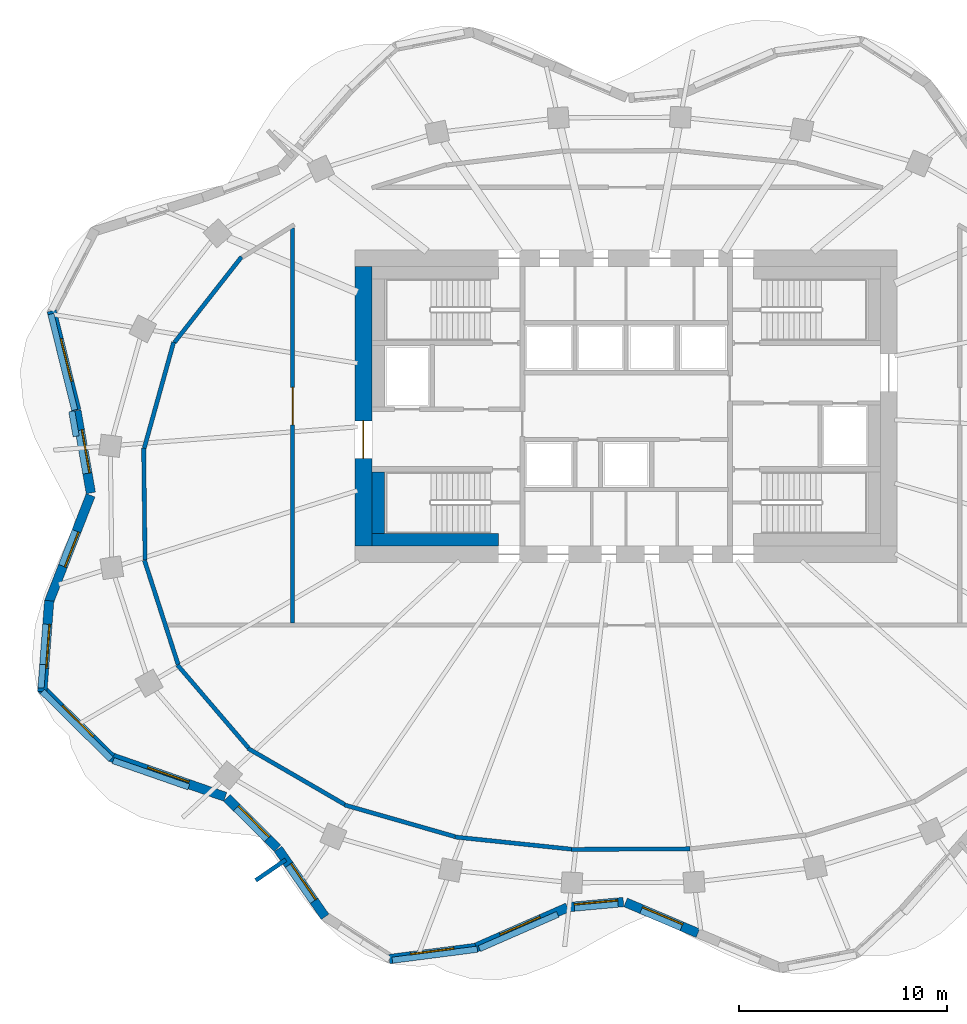
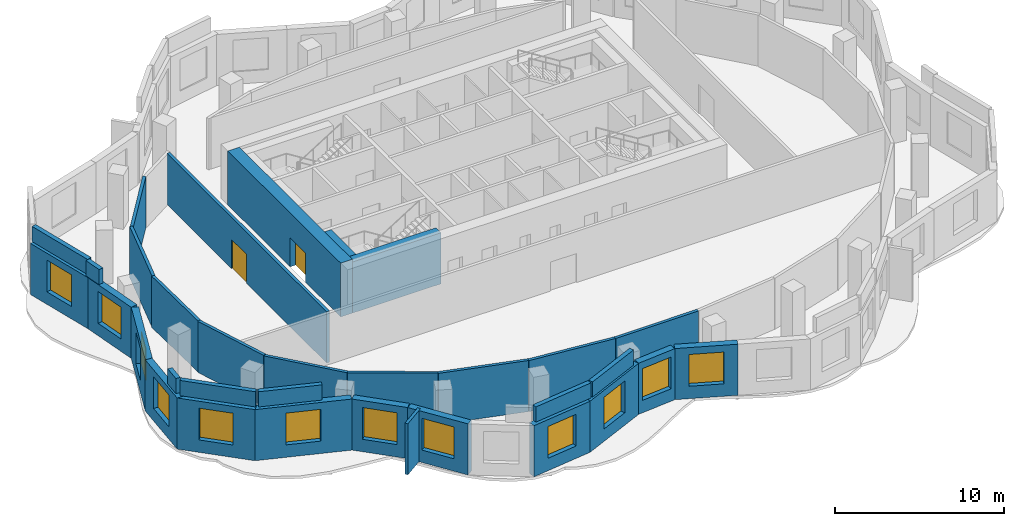
# One storey, part 3 of 8: 33 walls, 12 windows, 2 doors, 14 openings.
"""IFC4 building model written with IfcOpenShell, lengths in metres."""

from ifc_helpers import new_model, si_unit, direction, frame, frame_2d, origin, place, context, subcontext, project, spatial, rectangle, extrude, material, layer, layer_set, type_object, element, fill, save


model = new_model("IFC4")

# Units and contexts
model_context = context("Model", 3, precision=1e-05, world=origin(), true_north=direction((0.0, 1.0)))
body_context = subcontext(model_context, "Body", "Model", "MODEL_VIEW")
ifc_project = project(units=[si_unit("LENGTHUNIT", "METRE"), si_unit("AREAUNIT", "SQUARE_METRE"), si_unit("VOLUMEUNIT", "CUBIC_METRE"), si_unit("PLANEANGLEUNIT", "RADIAN"), si_unit("MASSUNIT", "GRAM", prefix="KILO")], contexts=[model_context])

# Site, building, storey
site_placement = place(None, origin())
site = spatial("IfcSite", under=ifc_project, at=site_placement, CompositionType="ELEMENT")
building_placement = place(site_placement, origin())
building = spatial("IfcBuilding", under=site, at=building_placement, Name="Rubra Terraces Tower", CompositionType="ELEMENT")
storey_placement = place(building_placement, frame((0.0, 0.0, 240.89990234375)))
storey = spatial("IfcBuildingStorey", under=building, at=storey_placement, Name="L59", CompositionType="ELEMENT", Elevation=240.89990234375)

# Wall, opening, window
ifc_material_1 = material(Name="Brick masonry red-brown", Category="masonry")
ifc_layer_1 = layer(ifc_material_1, 0.449951171875)
ifc_layer_set_1 = layer_set([ifc_layer_1], Name="Brick masonry red-brown")
wall_type_1 = type_object("IfcWallType", Name="Brick facade wall 450", PredefinedType="SOLIDWALL", material=ifc_layer_set_1)
wall_1_placement = place(storey_placement, frame((-27.552001953125, 9.07177734375, 0.0), z_axis=(0.0, 0.0, 1.0), x_axis=(0.240629941406, -0.970616933347, 0.0)))
wall_1 = element("IfcWall", 1, at=wall_1_placement, inside=storey, type_object=wall_type_1, Name="Facade wall L59 bay 19", PredefinedType="SOLIDWALL", context=body_context, shape_type="SweptSolid", body=[
    extrude(rectangle(XDim=4.91455078125, YDim=0.449951171875, at=frame_2d((2.457275390625, 0.0))), origin(), (0.0, 0.0, 1.0), 3.7001953125),
])
opening_1_placement = place(wall_1_placement, frame((1.407470703125, 0.0, 0.89990234375)))
opening_1 = element("IfcOpeningElement", 2, at=opening_1_placement, cuts=wall_1, Name="Opening W1B", PredefinedType="OPENING", context=body_context, shape_type="SweptSolid", body=[
    extrude(rectangle(XDim=2.10009765625, YDim=2.300048828125, at=frame_2d((1.050048828125, 1.14990234375))), frame((0.0, 0.23486328125, 0.0), z_axis=(0.0, -1.0, 0.0), x_axis=(1.0, 0.0, 0.0)), (0.0, 0.0, 1.0), 0.469970703125),
])
ifc_material_2 = material(Name="Clear glass in aluminium frame", Category="aluminium")
window_type_1 = type_object("IfcWindowType", Name="Fixed deep-set window tall storey 2100 x 2300", PartitioningType="SINGLE_PANEL", PredefinedType="WINDOW", material=ifc_material_2)
window_1_placement = place(opening_1_placement, origin())
window_1 = element("IfcWindow", 3, at=window_1_placement, inside=storey, type_object=window_type_1, Name="Window L59 bay 19", OverallHeight=2.300048828125, OverallWidth=2.10009765625, PartitioningType="SINGLE_PANEL", PredefinedType="WINDOW", context=body_context, shape_type="SweptSolid", body=[
    extrude(rectangle(XDim=2.10009765625, YDim=2.300048828125, at=frame_2d((1.050048828125, 1.14990234375))), frame((0.0, 0.135009765625, 0.0), z_axis=(0.0, -1.0, 0.0), x_axis=(1.0, 0.0, 0.0)), (0.0, 0.0, 1.0), 0.06005859375),
])
fill(opening_1, window_1)

wall_2_placement = place(storey_placement, frame((-26.3662109375, 4.28466796875, 0.0), z_axis=(0.0, 0.0, 1.0), x_axis=(0.172902168926, -0.984939003178, 0.0)))
wall_2 = element("IfcWall", 4, at=wall_2_placement, inside=storey, type_object=wall_type_1, Name="Facade wall L59 bay 20", PredefinedType="SOLIDWALL", context=body_context, shape_type="SweptSolid", body=[
    extrude(rectangle(XDim=4.005859375, YDim=0.449951171875, at=frame_2d((2.0029296875, 0.0))), origin(), (0.0, 0.0, 1.0), 3.7001953125),
])
opening_2_placement = place(wall_2_placement, frame((0.952880859375, 0.0, 0.89990234375)))
opening_2 = element("IfcOpeningElement", 5, at=opening_2_placement, cuts=wall_2, Name="Opening W1B", PredefinedType="OPENING", context=body_context, shape_type="SweptSolid", body=[
    extrude(rectangle(XDim=2.10009765625, YDim=2.300048828125, at=frame_2d((1.050048828125, 1.14990234375))), frame((0.0, 0.23486328125, 0.0), z_axis=(0.0, -1.0, 0.0), x_axis=(1.0, 0.0, 0.0)), (0.0, 0.0, 1.0), 0.469970703125),
])
window_2_placement = place(opening_2_placement, origin())
window_2 = element("IfcWindow", 6, at=window_2_placement, inside=storey, type_object=window_type_1, Name="Window L59 bay 20", OverallHeight=2.300048828125, OverallWidth=2.10009765625, PartitioningType="SINGLE_PANEL", PredefinedType="WINDOW", context=body_context, shape_type="SweptSolid", body=[
    extrude(rectangle(XDim=2.10009765625, YDim=2.300048828125, at=frame_2d((1.050048828125, 1.14990234375))), frame((0.0, 0.135009765625, 0.0), z_axis=(0.0, -1.0, 0.0), x_axis=(1.0, 0.0, 0.0)), (0.0, 0.0, 1.0), 0.06005859375),
])
fill(opening_2, window_2)

wall_3_placement = place(storey_placement, frame((-25.68701171875, 0.226318359375, 0.0), z_axis=(0.0, 0.0, 1.0), x_axis=(-0.363500194409, -0.931594122279, 0.0)))
wall_3 = element("IfcWall", 7, at=wall_3_placement, inside=storey, type_object=wall_type_1, Name="Facade wall L59 bay 21", PredefinedType="SOLIDWALL", context=body_context, shape_type="SweptSolid", body=[
    extrude(rectangle(XDim=5.498779296875, YDim=0.449951171875, at=frame_2d((2.74951171875, 0.0))), origin(), (0.0, 0.0, 1.0), 3.7001953125),
])
opening_3_placement = place(wall_3_placement, frame((1.849365234375, 0.0, 0.89990234375)))
opening_3 = element("IfcOpeningElement", 8, at=opening_3_placement, cuts=wall_3, Name="Opening W6B", PredefinedType="OPENING", context=body_context, shape_type="SweptSolid", body=[
    extrude(rectangle(XDim=1.800048828125, YDim=2.300048828125, at=frame_2d((0.89990234375, 1.14990234375))), frame((0.0, 0.23486328125, 0.0), z_axis=(0.0, -1.0, 0.0), x_axis=(1.0, 0.0, 0.0)), (0.0, 0.0, 1.0), 0.469970703125),
])
window_type_2 = type_object("IfcWindowType", Name="Fixed deep-set window at wind fin tall storey 1800 x 2300", PartitioningType="SINGLE_PANEL", PredefinedType="WINDOW", material=ifc_material_2)
window_3_placement = place(opening_3_placement, origin())
window_3 = element("IfcWindow", 9, at=window_3_placement, inside=storey, type_object=window_type_2, Name="Window L59 bay 21", OverallHeight=2.300048828125, OverallWidth=1.800048828125, PartitioningType="SINGLE_PANEL", PredefinedType="WINDOW", context=body_context, shape_type="SweptSolid", body=[
    extrude(rectangle(XDim=1.800048828125, YDim=2.300048828125, at=frame_2d((0.89990234375, 1.14990234375))), frame((0.0, 0.135009765625, 0.0), z_axis=(0.0, -1.0, 0.0), x_axis=(1.0, 0.0, 0.0)), (0.0, 0.0, 1.0), 0.06005859375),
])
fill(opening_3, window_3)

wall_4_placement = place(storey_placement, frame((-27.671142578125, -4.831298828125, 0.0), z_axis=(0.0, 0.0, 1.0), x_axis=(-0.075658122047, -0.997133816781, 0.0)))
wall_4 = element("IfcWall", 10, at=wall_4_placement, inside=storey, type_object=wall_type_1, Name="Facade wall L59 bay 22", PredefinedType="SOLIDWALL", context=body_context, shape_type="SweptSolid", body=[
    extrude(rectangle(XDim=4.369140625, YDim=0.449951171875, at=frame_2d((2.1845703125, 0.0))), origin(), (0.0, 0.0, 1.0), 3.7001953125),
])
opening_4_placement = place(wall_4_placement, frame((1.134521484375, 0.0, 0.89990234375)))
opening_4 = element("IfcOpeningElement", 11, at=opening_4_placement, cuts=wall_4, Name="Opening W1B", PredefinedType="OPENING", context=body_context, shape_type="SweptSolid", body=[
    extrude(rectangle(XDim=2.10009765625, YDim=2.300048828125, at=frame_2d((1.050048828125, 1.14990234375))), frame((0.0, 0.23486328125, 0.0), z_axis=(0.0, -1.0, 0.0), x_axis=(1.0, 0.0, 0.0)), (0.0, 0.0, 1.0), 0.469970703125),
])
window_4_placement = place(opening_4_placement, origin())
window_4 = element("IfcWindow", 12, at=window_4_placement, inside=storey, type_object=window_type_1, Name="Window L59 bay 22", OverallHeight=2.300048828125, OverallWidth=2.10009765625, PartitioningType="SINGLE_PANEL", PredefinedType="WINDOW", context=body_context, shape_type="SweptSolid", body=[
    extrude(rectangle(XDim=2.10009765625, YDim=2.300048828125, at=frame_2d((1.050048828125, 1.14990234375))), frame((0.0, 0.135009765625, 0.0), z_axis=(0.0, -1.0, 0.0), x_axis=(1.0, 0.0, 0.0)), (0.0, 0.0, 1.0), 0.06005859375),
])
fill(opening_4, window_4)

wall_5_placement = place(storey_placement, frame((-28.06787109375, -9.010986328125, 0.0), z_axis=(0.0, 0.0, 1.0), x_axis=(0.711293453435, -0.702895172199, 0.0)))
wall_5 = element("IfcWall", 13, at=wall_5_placement, inside=storey, type_object=wall_type_1, Name="Facade wall L59 bay 23", PredefinedType="SOLIDWALL", context=body_context, shape_type="SweptSolid", body=[
    extrude(rectangle(XDim=4.767578125, YDim=0.449951171875, at=frame_2d((2.3837890625, 0.0))), origin(), (0.0, 0.0, 1.0), 3.7001953125),
])
opening_5_placement = place(wall_5_placement, frame((1.333740234375, 0.0, 0.89990234375)))
opening_5 = element("IfcOpeningElement", 14, at=opening_5_placement, cuts=wall_5, Name="Opening W1B", PredefinedType="OPENING", context=body_context, shape_type="SweptSolid", body=[
    extrude(rectangle(XDim=2.10009765625, YDim=2.300048828125, at=frame_2d((1.050048828125, 1.14990234375))), frame((0.0, 0.23486328125, 0.0), z_axis=(0.0, -1.0, 0.0), x_axis=(1.0, 0.0, 0.0)), (0.0, 0.0, 1.0), 0.469970703125),
])
window_5_placement = place(opening_5_placement, origin())
window_5 = element("IfcWindow", 15, at=window_5_placement, inside=storey, type_object=window_type_1, Name="Window L59 bay 23", OverallHeight=2.300048828125, OverallWidth=2.10009765625, PartitioningType="SINGLE_PANEL", PredefinedType="WINDOW", context=body_context, shape_type="SweptSolid", body=[
    extrude(rectangle(XDim=2.10009765625, YDim=2.300048828125, at=frame_2d((1.050048828125, 1.14990234375))), frame((0.0, 0.135009765625, 0.0), z_axis=(0.0, -1.0, 0.0), x_axis=(1.0, 0.0, 0.0)), (0.0, 0.0, 1.0), 0.06005859375),
])
fill(opening_5, window_5)

wall_6_placement = place(storey_placement, frame((-24.760986328125, -12.309814453125, 0.0), z_axis=(0.0, 0.0, 1.0), x_axis=(0.944397305248, -0.328806523414, 0.0)))
wall_6 = element("IfcWall", 16, at=wall_6_placement, inside=storey, type_object=wall_type_1, Name="Facade wall L59 bay 24", PredefinedType="SOLIDWALL", context=body_context, shape_type="SweptSolid", body=[
    extrude(rectangle(XDim=5.862060546875, YDim=0.449951171875, at=frame_2d((2.93115234375, 0.0))), origin(), (0.0, 0.0, 1.0), 3.7001953125),
])
opening_6_placement = place(wall_6_placement, frame((1.881103515625, 0.0, 0.89990234375)))
opening_6 = element("IfcOpeningElement", 17, at=opening_6_placement, cuts=wall_6, Name="Opening W1B", PredefinedType="OPENING", context=body_context, shape_type="SweptSolid", body=[
    extrude(rectangle(XDim=2.10009765625, YDim=2.300048828125, at=frame_2d((1.050048828125, 1.14990234375))), frame((0.0, 0.23486328125, 0.0), z_axis=(0.0, -1.0, 0.0), x_axis=(1.0, 0.0, 0.0)), (0.0, 0.0, 1.0), 0.469970703125),
])
window_6_placement = place(opening_6_placement, origin())
window_6 = element("IfcWindow", 18, at=window_6_placement, inside=storey, type_object=window_type_1, Name="Window L59 bay 24", OverallHeight=2.300048828125, OverallWidth=2.10009765625, PartitioningType="SINGLE_PANEL", PredefinedType="WINDOW", context=body_context, shape_type="SweptSolid", body=[
    extrude(rectangle(XDim=2.10009765625, YDim=2.300048828125, at=frame_2d((1.050048828125, 1.14990234375))), frame((0.0, 0.135009765625, 0.0), z_axis=(0.0, -1.0, 0.0), x_axis=(1.0, 0.0, 0.0)), (0.0, 0.0, 1.0), 0.06005859375),
])
fill(opening_6, window_6)

wall_7_placement = place(storey_placement, frame((-19.145263671875, -14.285400390625, 0.0), z_axis=(0.0, 0.0, 1.0), x_axis=(0.707427521052, -0.706785895769, 0.0)))
wall_7 = element("IfcWall", 19, at=wall_7_placement, inside=storey, type_object=wall_type_1, Name="Facade wall L59 bay 25", PredefinedType="SOLIDWALL", context=body_context, shape_type="SweptSolid", body=[
    extrude(rectangle(XDim=3.424560546875, YDim=0.449951171875, at=frame_2d((1.71240234375, 0.0))), origin(), (0.0, 0.0, 1.0), 3.7001953125),
])
opening_7_placement = place(wall_7_placement, frame((0.662353515625, 0.0, 0.89990234375)))
opening_7 = element("IfcOpeningElement", 20, at=opening_7_placement, cuts=wall_7, Name="Opening W1B", PredefinedType="OPENING", context=body_context, shape_type="SweptSolid", body=[
    extrude(rectangle(XDim=2.10009765625, YDim=2.300048828125, at=frame_2d((1.050048828125, 1.14990234375))), frame((0.0, 0.23486328125, 0.0), z_axis=(0.0, -1.0, 0.0), x_axis=(1.0, 0.0, 0.0)), (0.0, 0.0, 1.0), 0.469970703125),
])
window_7_placement = place(opening_7_placement, origin())
window_7 = element("IfcWindow", 21, at=window_7_placement, inside=storey, type_object=window_type_1, Name="Window L59 bay 25", OverallHeight=2.300048828125, OverallWidth=2.10009765625, PartitioningType="SINGLE_PANEL", PredefinedType="WINDOW", context=body_context, shape_type="SweptSolid", body=[
    extrude(rectangle(XDim=2.10009765625, YDim=2.300048828125, at=frame_2d((1.050048828125, 1.14990234375))), frame((0.0, 0.135009765625, 0.0), z_axis=(0.0, -1.0, 0.0), x_axis=(1.0, 0.0, 0.0)), (0.0, 0.0, 1.0), 0.06005859375),
])
fill(opening_7, window_7)

wall_8_placement = place(storey_placement, frame((-16.695068359375, -16.73681640625, 0.0), z_axis=(0.0, 0.0, 1.0), x_axis=(0.569652445465, -0.821885692402, 0.0)))
wall_8 = element("IfcWall", 22, at=wall_8_placement, inside=storey, type_object=wall_type_1, Name="Facade wall L59 bay 26", PredefinedType="SOLIDWALL", context=body_context, shape_type="SweptSolid", body=[
    extrude(rectangle(XDim=3.958740234375, YDim=0.449951171875, at=frame_2d((1.9794921875, 0.0))), origin(), (0.0, 0.0, 1.0), 3.7001953125),
])
opening_8_placement = place(wall_8_placement, frame((0.929443359375, 0.0, 0.89990234375)))
opening_8 = element("IfcOpeningElement", 23, at=opening_8_placement, cuts=wall_8, Name="Opening W1B", PredefinedType="OPENING", context=body_context, shape_type="SweptSolid", body=[
    extrude(rectangle(XDim=2.10009765625, YDim=2.300048828125, at=frame_2d((1.050048828125, 1.14990234375))), frame((0.0, 0.23486328125, 0.0), z_axis=(0.0, -1.0, 0.0), x_axis=(1.0, 0.0, 0.0)), (0.0, 0.0, 1.0), 0.469970703125),
])
window_8_placement = place(opening_8_placement, origin())
window_8 = element("IfcWindow", 24, at=window_8_placement, inside=storey, type_object=window_type_1, Name="Window L59 bay 26", OverallHeight=2.300048828125, OverallWidth=2.10009765625, PartitioningType="SINGLE_PANEL", PredefinedType="WINDOW", context=body_context, shape_type="SweptSolid", body=[
    extrude(rectangle(XDim=2.10009765625, YDim=2.300048828125, at=frame_2d((1.050048828125, 1.14990234375))), frame((0.0, 0.135009765625, 0.0), z_axis=(0.0, -1.0, 0.0), x_axis=(1.0, 0.0, 0.0)), (0.0, 0.0, 1.0), 0.06005859375),
])
fill(opening_8, window_8)

wall_9_placement = place(storey_placement, frame((-11.36181640625, -22.017822265625, 0.0), z_axis=(0.0, 0.0, 1.0), x_axis=(0.991724958022, 0.128380713645, 0.0)))
wall_9 = element("IfcWall", 25, at=wall_9_placement, inside=storey, type_object=wall_type_1, Name="Facade wall L59 bay 28", PredefinedType="SOLIDWALL", context=body_context, shape_type="SweptSolid", body=[
    extrude(rectangle(XDim=4.181884765625, YDim=0.449951171875, at=frame_2d((2.0908203125, 0.0))), origin(), (0.0, 0.0, 1.0), 3.7001953125),
])
opening_9_placement = place(wall_9_placement, frame((1.041015625, 0.0, 0.89990234375)))
opening_9 = element("IfcOpeningElement", 26, at=opening_9_placement, cuts=wall_9, Name="Opening W1B", PredefinedType="OPENING", context=body_context, shape_type="SweptSolid", body=[
    extrude(rectangle(XDim=2.10009765625, YDim=2.300048828125, at=frame_2d((1.050048828125, 1.14990234375))), frame((0.0, 0.23486328125, 0.0), z_axis=(0.0, -1.0, 0.0), x_axis=(1.0, 0.0, 0.0)), (0.0, 0.0, 1.0), 0.469970703125),
])
window_9_placement = place(opening_9_placement, origin())
window_9 = element("IfcWindow", 27, at=window_9_placement, inside=storey, type_object=window_type_1, Name="Window L59 bay 28", OverallHeight=2.300048828125, OverallWidth=2.10009765625, PartitioningType="SINGLE_PANEL", PredefinedType="WINDOW", context=body_context, shape_type="SweptSolid", body=[
    extrude(rectangle(XDim=2.10009765625, YDim=2.300048828125, at=frame_2d((1.050048828125, 1.14990234375))), frame((0.0, 0.135009765625, 0.0), z_axis=(0.0, -1.0, 0.0), x_axis=(1.0, 0.0, 0.0)), (0.0, 0.0, 1.0), 0.06005859375),
])
fill(opening_9, window_9)

wall_10_placement = place(storey_placement, frame((-7.27587890625, -21.498046875, 0.0), z_axis=(0.0, 0.0, 1.0), x_axis=(0.915872941312, 0.401468249519, 0.0)))
wall_10 = element("IfcWall", 28, at=wall_10_placement, inside=storey, type_object=wall_type_1, Name="Facade wall L59 bay 29", PredefinedType="SOLIDWALL", context=body_context, shape_type="SweptSolid", body=[
    extrude(rectangle(XDim=4.870361328125, YDim=0.449951171875, at=frame_2d((2.43505859375, 0.0))), origin(), (0.0, 0.0, 1.0), 3.7001953125),
])
opening_10_placement = place(wall_10_placement, frame((1.38525390625, 0.0, 0.89990234375)))
opening_10 = element("IfcOpeningElement", 29, at=opening_10_placement, cuts=wall_10, Name="Opening W1B", PredefinedType="OPENING", context=body_context, shape_type="SweptSolid", body=[
    extrude(rectangle(XDim=2.10009765625, YDim=2.300048828125, at=frame_2d((1.050048828125, 1.14990234375))), frame((0.0, 0.23486328125, 0.0), z_axis=(0.0, -1.0, 0.0), x_axis=(1.0, 0.0, 0.0)), (0.0, 0.0, 1.0), 0.469970703125),
])
window_10_placement = place(opening_10_placement, origin())
window_10 = element("IfcWindow", 30, at=window_10_placement, inside=storey, type_object=window_type_1, Name="Window L59 bay 29", OverallHeight=2.300048828125, OverallWidth=2.10009765625, PartitioningType="SINGLE_PANEL", PredefinedType="WINDOW", context=body_context, shape_type="SweptSolid", body=[
    extrude(rectangle(XDim=2.10009765625, YDim=2.300048828125, at=frame_2d((1.050048828125, 1.14990234375))), frame((0.0, 0.135009765625, 0.0), z_axis=(0.0, -1.0, 0.0), x_axis=(1.0, 0.0, 0.0)), (0.0, 0.0, 1.0), 0.06005859375),
])
fill(opening_10, window_10)

wall_11_placement = place(storey_placement, frame((-2.745361328125, -19.52490234375, 0.0), z_axis=(0.0, 0.0, 1.0), x_axis=(0.995768774275, 0.091894222771, 0.0)))
wall_11 = element("IfcWall", 31, at=wall_11_placement, inside=storey, type_object=wall_type_1, Name="Facade wall L59 bay 30", PredefinedType="SOLIDWALL", context=body_context, shape_type="SweptSolid", body=[
    extrude(rectangle(XDim=2.624755859375, YDim=0.449951171875, at=frame_2d((1.3125, 0.0))), origin(), (0.0, 0.0, 1.0), 3.7001953125),
])
opening_11_placement = place(wall_11_placement, frame((0.262451171875, 0.0, 0.89990234375)))
opening_11 = element("IfcOpeningElement", 32, at=opening_11_placement, cuts=wall_11, Name="Opening W1B", PredefinedType="OPENING", context=body_context, shape_type="SweptSolid", body=[
    extrude(rectangle(XDim=2.10009765625, YDim=2.300048828125, at=frame_2d((1.050048828125, 1.14990234375))), frame((0.0, 0.23486328125, 0.0), z_axis=(0.0, -1.0, 0.0), x_axis=(1.0, 0.0, 0.0)), (0.0, 0.0, 1.0), 0.469970703125),
])
window_11_placement = place(opening_11_placement, origin())
window_11 = element("IfcWindow", 33, at=window_11_placement, inside=storey, type_object=window_type_1, Name="Window L59 bay 30", OverallHeight=2.300048828125, OverallWidth=2.10009765625, PartitioningType="SINGLE_PANEL", PredefinedType="WINDOW", context=body_context, shape_type="SweptSolid", body=[
    extrude(rectangle(XDim=2.10009765625, YDim=2.300048828125, at=frame_2d((1.050048828125, 1.14990234375))), frame((0.0, 0.135009765625, 0.0), z_axis=(0.0, -1.0, 0.0), x_axis=(1.0, 0.0, 0.0)), (0.0, 0.0, 1.0), 0.06005859375),
])
fill(opening_11, window_11)

wall_12_placement = place(storey_placement, frame((-0.0263671875, -19.29931640625, 0.0), z_axis=(0.0, 0.0, 1.0), x_axis=(0.920040408927, -0.391823488245, 0.0)))
wall_12 = element("IfcWall", 34, at=wall_12_placement, inside=storey, type_object=wall_type_1, Name="Facade wall L59 bay 31", PredefinedType="SOLIDWALL", context=body_context, shape_type="SweptSolid", body=[
    extrude(rectangle(XDim=3.769775390625, YDim=0.449951171875, at=frame_2d((1.884765625, 0.0))), origin(), (0.0, 0.0, 1.0), 3.7001953125),
])
opening_12_placement = place(wall_12_placement, frame((0.8349609375, 0.0, 0.89990234375)))
opening_12 = element("IfcOpeningElement", 35, at=opening_12_placement, cuts=wall_12, Name="Opening W1B", PredefinedType="OPENING", context=body_context, shape_type="SweptSolid", body=[
    extrude(rectangle(XDim=2.10009765625, YDim=2.300048828125, at=frame_2d((1.050048828125, 1.14990234375))), frame((0.0, 0.23486328125, 0.0), z_axis=(0.0, -1.0, 0.0), x_axis=(1.0, 0.0, 0.0)), (0.0, 0.0, 1.0), 0.469970703125),
])
window_12_placement = place(opening_12_placement, origin())
window_12 = element("IfcWindow", 36, at=window_12_placement, inside=storey, type_object=window_type_1, Name="Window L59 bay 31", OverallHeight=2.300048828125, OverallWidth=2.10009765625, PartitioningType="SINGLE_PANEL", PredefinedType="WINDOW", context=body_context, shape_type="SweptSolid", body=[
    extrude(rectangle(XDim=2.10009765625, YDim=2.300048828125, at=frame_2d((1.050048828125, 1.14990234375))), frame((0.0, 0.135009765625, 0.0), z_axis=(0.0, -1.0, 0.0), x_axis=(1.0, 0.0, 0.0)), (0.0, 0.0, 1.0), 0.06005859375),
])
fill(opening_12, window_12)

# Walls
ifc_layer_2 = layer(ifc_material_1, 0.300048828125)
ifc_layer_set_2 = layer_set([ifc_layer_2], Name="Brick masonry red-brown")
wall_type_2 = type_object("IfcWallType", Name="Brick parapet 300", PredefinedType="PARAPET", material=ifc_layer_set_2)
wall_13_placement = place(storey_placement, frame((-27.591796875, 8.9208984375, 3.900146484375), z_axis=(0.0, 0.0, 1.0), x_axis=(0.240669381496, -0.970607154729, 0.0)))
element("IfcWall", 37, at=wall_13_placement, inside=storey, type_object=wall_type_2, Name="Parapet L59 bay 19", PredefinedType="PARAPET", context=body_context, shape_type="SweptSolid", body=[
    extrude(rectangle(XDim=4.741455078125, YDim=0.300048828125, at=frame_2d((2.37060546875, 0.0))), origin(), (0.0, 0.0, 1.0), 1.099853515625),
])
wall_14_placement = place(storey_placement, frame((-26.589111328125, 4.253662109375, 3.900146484375), z_axis=(0.0, 0.0, 1.0), x_axis=(0.172857566704, -0.984946831881, 0.0)))
element("IfcWall", 38, at=wall_14_placement, inside=storey, type_object=wall_type_2, Name="Parapet L59 bay 20", PredefinedType="PARAPET", context=body_context, shape_type="SweptSolid", body=[
    extrude(rectangle(XDim=1.216064453125, YDim=0.300048828125, at=frame_2d((0.60791015625, 0.0))), origin(), (0.0, 0.0, 1.0), 1.099853515625),
])
wall_15_placement = place(storey_placement, frame((-27.978515625, -7.892333984375, 3.900146484375), z_axis=(0.0, 0.0, 1.0), x_axis=(-0.075750382553, -0.997126812167, 0.0)))
element("IfcWall", 39, at=wall_15_placement, inside=storey, type_object=wall_type_2, Name="Parapet L59 bay 22", PredefinedType="PARAPET", context=body_context, shape_type="SweptSolid", body=[
    extrude(rectangle(XDim=1.124755859375, YDim=0.300048828125, at=frame_2d((0.5625, 0.0))), origin(), (0.0, 0.0, 1.0), 1.099853515625),
])
wall_16_placement = place(storey_placement, frame((-28.00048828125, -9.18310546875, 3.900146484375), z_axis=(0.0, 0.0, 1.0), x_axis=(0.711291435321, -0.702897214419, 0.0)))
element("IfcWall", 40, at=wall_16_placement, inside=storey, type_object=wall_type_2, Name="Parapet L59 bay 23", PredefinedType="PARAPET", context=body_context, shape_type="SweptSolid", body=[
    extrude(rectangle(XDim=4.62451171875, YDim=0.300048828125, at=frame_2d((2.312255859375, 0.0))), origin(), (0.0, 0.0, 1.0), 1.099853515625),
])
wall_17_placement = place(storey_placement, frame((-24.605224609375, -12.49951171875, 3.900146484375), z_axis=(0.0, 0.0, 1.0), x_axis=(0.944373295981, -0.328875474668, 0.0)))
element("IfcWall", 41, at=wall_17_placement, inside=storey, type_object=wall_type_2, Name="Parapet L59 bay 24", PredefinedType="PARAPET", context=body_context, shape_type="SweptSolid", body=[
    extrude(rectangle(XDim=3.84228515625, YDim=0.300048828125, at=frame_2d((1.921142578125, 0.0))), origin(), (0.0, 0.0, 1.0), 1.099853515625),
])
wall_18_placement = place(storey_placement, frame((-11.2138671875, -22.07421875, 3.900146484375), z_axis=(0.0, 0.0, 1.0), x_axis=(0.991727449614, 0.128361464939, 0.0)))
element("IfcWall", 42, at=wall_18_placement, inside=storey, type_object=wall_type_2, Name="Parapet L59 bay 28", PredefinedType="PARAPET", context=body_context, shape_type="SweptSolid", body=[
    extrude(rectangle(XDim=4.110107421875, YDim=0.300048828125, at=frame_2d((2.05517578125, 0.0))), origin(), (0.0, 0.0, 1.0), 1.099853515625),
])
wall_19_placement = place(storey_placement, frame((-7.039306640625, -21.519287109375, 3.900146484375), z_axis=(0.0, 0.0, 1.0), x_axis=(0.915890739732, 0.401427643384, 0.0)))
element("IfcWall", 43, at=wall_19_placement, inside=storey, type_object=wall_type_2, Name="Parapet L59 bay 29", PredefinedType="PARAPET", context=body_context, shape_type="SweptSolid", body=[
    extrude(rectangle(XDim=4.1015625, YDim=0.300048828125, at=frame_2d((2.05078125, 0.0))), origin(), (0.0, 0.0, 1.0), 1.099853515625),
])
ifc_layer_3 = layer(ifc_material_1, 0.199951171875)
ifc_layer_set_3 = layer_set([ifc_layer_3], Name="Brick masonry red-brown")
wall_type_3 = type_object("IfcWallType", Name="Brick wind fin 200", PredefinedType="SOLIDWALL", material=ifc_layer_set_3)
wall_20_placement = place(storey_placement, frame((-16.322021484375, -17.2529296875, 0.0), z_axis=(0.0, 0.0, 1.0), x_axis=(-0.824440606412, -0.565948483962, 0.0)))
element("IfcWall", 44, at=wall_20_placement, inside=storey, type_object=wall_type_3, Name="Wind fin L59 16", PredefinedType="SOLIDWALL", context=body_context, shape_type="SweptSolid", body=[
    extrude(rectangle(XDim=1.75, YDim=0.199951171875, at=frame_2d((0.875, 0.0))), origin(), (0.0, 0.0, 1.0), 3.7001953125),
])

# Wall, opening, door
ifc_material_3 = material(Name="Concrete C50", Category="concrete")
ifc_layer_4 = layer(ifc_material_3, 0.800048828125)
ifc_layer_set_4 = layer_set([ifc_layer_4], Name="Concrete C50")
wall_type_4 = type_object("IfcWallType", Name="CORE WALL 800 C50", PredefinedType="SHEAR", material=ifc_layer_set_4)
wall_21_placement = place(storey_placement, frame((-12.60009765625, -2.199951171875, 0.0), z_axis=(0.0, 0.0, 1.0), x_axis=(0.0, 1.0, 0.0)))
wall_21 = element("IfcWall", 45, at=wall_21_placement, inside=storey, type_object=wall_type_4, Name="CORE WALL W L59", PredefinedType="SHEAR", context=body_context, shape_type="SweptSolid", body=[
    extrude(rectangle(XDim=13.39990234375, YDim=0.800048828125, at=frame_2d((6.699951171875, 0.0))), origin(), (0.0, 0.0, 1.0), 3.900146484375),
])
opening_13_placement = place(wall_21_placement, frame((4.199951171875, 0.0, 0.0)))
opening_13 = element("IfcOpeningElement", 46, at=opening_13_placement, cuts=wall_21, Name="Opening L59.C01", PredefinedType="OPENING", context=body_context, shape_type="SweptSolid", body=[
    extrude(rectangle(XDim=1.800048828125, YDim=2.10009765625, at=frame_2d((0.89990234375, 1.050048828125))), frame((0.0, 0.409912109375, 0.0), z_axis=(0.0, -1.0, 0.0), x_axis=(1.0, 0.0, 0.0)), (0.0, 0.0, 1.0), 0.820068359375),
])
ifc_material_4 = material(Name="Painted steel", Category="steel")
door_type_1 = type_object("IfcDoorType", Name="Fire door 1800x2100 double", OperationType="NOTDEFINED", PredefinedType="DOOR", material=ifc_material_4)
door_1_placement = place(opening_13_placement, origin())
door_1 = element("IfcDoor", 47, at=door_1_placement, inside=storey, type_object=door_type_1, Name="Core entrance door FF1", OperationType="DOUBLE_DOOR_SINGLE_SWING", OverallHeight=2.10009765625, OverallWidth=1.800048828125, PredefinedType="DOOR", context=body_context, shape_type="SweptSolid", body=[
    extrude(rectangle(XDim=1.800048828125, YDim=2.10009765625, at=frame_2d((0.89990234375, 1.050048828125))), frame((0.0, 0.02490234375, 0.0), z_axis=(0.0, -1.0, 0.0), x_axis=(1.0, 0.0, 0.0)), (0.0, 0.0, 1.0), 0.050048828125),
])
fill(opening_13, door_1)

# Walls
ifc_material_5 = material(Name="Concrete C40", Category="concrete")
ifc_layer_5 = layer(ifc_material_5, 0.60009765625)
ifc_layer_set_5 = layer_set([ifc_layer_5], Name="Concrete C40")
wall_type_5 = type_object("IfcWallType", Name="Core lining wall 600 concrete", PredefinedType="SOLIDWALL", material=ifc_layer_set_5)
wall_22_placement = place(storey_placement, frame((-12.199951171875, -1.89990234375, 0.0), z_axis=(0.0, 0.0, 1.0), x_axis=(1.0, 0.0, 0.0)))
element("IfcWall", 48, at=wall_22_placement, inside=storey, type_object=wall_type_5, Name="CORE LINING WALL L59", PredefinedType="SOLIDWALL", context=body_context, shape_type="SweptSolid", body=[
    extrude(rectangle(XDim=6.079833984375, YDim=0.60009765625, at=frame_2d((3.0400390625, 0.0))), origin(), (0.0, 0.0, 1.0), 3.7001953125),
])
wall_23_placement = place(storey_placement, frame((-11.89990234375, -1.60009765625, 0.0), z_axis=(0.0, 0.0, 1.0), x_axis=(0.0, 1.0, 0.0)))
element("IfcWall", 49, at=wall_23_placement, inside=storey, type_object=wall_type_5, Name="CORE LINING WALL L59", PredefinedType="SOLIDWALL", context=body_context, shape_type="SweptSolid", body=[
    extrude(rectangle(XDim=2.9501953125, YDim=0.60009765625, at=frame_2d((1.47509765625, 0.0))), origin(), (0.0, 0.0, 1.0), 3.7001953125),
])
ifc_material_6 = material(Name="Blockwork", Category="masonry")
ifc_layer_6 = layer(ifc_material_6, 0.199951171875)
ifc_layer_set_6 = layer_set([ifc_layer_6], Name="Blockwork")
wall_type_6 = type_object("IfcWallType", Name="Corridor partition 200 blockwork", PredefinedType="PARTITIONING", material=ifc_layer_set_6)
wall_24_placement = place(storey_placement, frame((3.052978515625, -16.72998046875, 0.0), z_axis=(0.0, 0.0, 1.0), x_axis=(-0.999987762334, -0.004947239951, 0.0)))
element("IfcWall", 50, at=wall_24_placement, inside=storey, type_object=wall_type_6, Name="Partition wall", PredefinedType="PARTITIONING", context=body_context, shape_type="SweptSolid", body=[
    extrude(rectangle(XDim=5.675048828125, YDim=0.199951171875, at=frame_2d((2.83740234375, 0.0))), origin(), (0.0, 0.0, 1.0), 3.7001953125),
])
wall_25_placement = place(storey_placement, frame((-2.62109375, -16.748046875, 0.0), z_axis=(0.0, 0.0, 1.0), x_axis=(-0.99455907377, 0.104174127222, 0.0)))
element("IfcWall", 51, at=wall_25_placement, inside=storey, type_object=wall_type_6, Name="Partition wall", PredefinedType="PARTITIONING", context=body_context, shape_type="SweptSolid", body=[
    extrude(rectangle(XDim=5.62451171875, YDim=0.199951171875, at=frame_2d((2.812255859375, 0.0))), origin(), (0.0, 0.0, 1.0), 3.7001953125),
])
wall_26_placement = place(storey_placement, frame((-8.2119140625, -16.14404296875, 0.0), z_axis=(0.0, 0.0, 1.0), x_axis=(-0.961229052449, 0.275751171762, 0.0)))
element("IfcWall", 52, at=wall_26_placement, inside=storey, type_object=wall_type_6, Name="Partition wall", PredefinedType="PARTITIONING", context=body_context, shape_type="SweptSolid", body=[
    extrude(rectangle(XDim=5.5087890625, YDim=0.199951171875, at=frame_2d((2.75439453125, 0.0))), origin(), (0.0, 0.0, 1.0), 3.7001953125),
])
wall_27_placement = place(storey_placement, frame((-13.498046875, -14.60302734375, 0.0), z_axis=(0.0, 0.0, 1.0), x_axis=(-0.865099094035, 0.501600994317, 0.0)))
element("IfcWall", 53, at=wall_27_placement, inside=storey, type_object=wall_type_6, Name="Partition wall", PredefinedType="PARTITIONING", context=body_context, shape_type="SweptSolid", body=[
    extrude(rectangle(XDim=5.3671875, YDim=0.199951171875, at=frame_2d((2.68359375, 0.0))), origin(), (0.0, 0.0, 1.0), 3.7001953125),
])
wall_28_placement = place(storey_placement, frame((-18.118896484375, -11.885009765625, 0.0), z_axis=(0.0, 0.0, 1.0), x_axis=(-0.650510608515, 0.759497168006, 0.0)))
element("IfcWall", 54, at=wall_28_placement, inside=storey, type_object=wall_type_6, Name="Partition wall", PredefinedType="PARTITIONING", context=body_context, shape_type="SweptSolid", body=[
    extrude(rectangle(XDim=5.228271484375, YDim=0.199951171875, at=frame_2d((2.6142578125, 0.0))), origin(), (0.0, 0.0, 1.0), 3.7001953125),
])
wall_29_placement = place(storey_placement, frame((-21.486083984375, -7.89501953125, 0.0), z_axis=(0.0, 0.0, 1.0), x_axis=(-0.307481575482, 0.951554034587, 0.0)))
element("IfcWall", 55, at=wall_29_placement, inside=storey, type_object=wall_type_6, Name="Partition wall", PredefinedType="PARTITIONING", context=body_context, shape_type="SweptSolid", body=[
    extrude(rectangle(XDim=5.2587890625, YDim=0.199951171875, at=frame_2d((2.62939453125, 0.0))), origin(), (0.0, 0.0, 1.0), 3.7001953125),
])
wall_30_placement = place(storey_placement, frame((-23.072998046875, -2.885986328125, 0.0), z_axis=(0.0, 0.0, 1.0), x_axis=(-0.012666982201, 0.999919770563, 0.0)))
element("IfcWall", 56, at=wall_30_placement, inside=storey, type_object=wall_type_6, Name="Partition wall", PredefinedType="PARTITIONING", context=body_context, shape_type="SweptSolid", body=[
    extrude(rectangle(XDim=5.37744140625, YDim=0.199951171875, at=frame_2d((2.688720703125, 0.0))), origin(), (0.0, 0.0, 1.0), 3.7001953125),
])
wall_31_placement = place(storey_placement, frame((-23.113037109375, 2.487060546875, 0.0), z_axis=(0.0, 0.0, 1.0), x_axis=(0.267500643582, 0.963557681555, 0.0)))
element("IfcWall", 57, at=wall_31_placement, inside=storey, type_object=wall_type_6, Name="Partition wall", PredefinedType="PARTITIONING", context=body_context, shape_type="SweptSolid", body=[
    extrude(rectangle(XDim=5.275146484375, YDim=0.199951171875, at=frame_2d((2.6376953125, 0.0))), origin(), (0.0, 0.0, 1.0), 3.7001953125),
])
wall_32_placement = place(storey_placement, frame((-21.6669921875, 7.552978515625, 0.0), z_axis=(0.0, 0.0, 1.0), x_axis=(0.617143909163, 0.786850300491, 0.0)))
element("IfcWall", 58, at=wall_32_placement, inside=storey, type_object=wall_type_6, Name="Partition wall", PredefinedType="PARTITIONING", context=body_context, shape_type="SweptSolid", body=[
    extrude(rectangle(XDim=5.220703125, YDim=0.199951171875, at=frame_2d((2.6103515625, 0.0))), origin(), (0.0, 0.0, 1.0), 3.7001953125),
])

# Wall, opening, door
wall_33_placement = place(storey_placement, frame((-16.0, 13.047119140625, 0.0), z_axis=(0.0, 0.0, 1.0), x_axis=(0.0, -1.0, 0.0)))
wall_33 = element("IfcWall", 59, at=wall_33_placement, inside=storey, type_object=wall_type_6, Name="Partition wall", PredefinedType="PARTITIONING", context=body_context, shape_type="SweptSolid", body=[
    extrude(rectangle(XDim=18.947021484375, YDim=0.199951171875, at=frame_2d((9.4736328125, 0.0))), origin(), (0.0, 0.0, 1.0), 3.7001953125),
])
opening_14_placement = place(wall_33_placement, frame((7.64697265625, 0.0, 0.0)))
opening_14 = element("IfcOpeningElement", 60, at=opening_14_placement, cuts=wall_33, Name="Opening DB3", PredefinedType="OPENING", context=body_context, shape_type="SweptSolid", body=[
    extrude(rectangle(XDim=1.800048828125, YDim=2.10009765625, at=frame_2d((0.89990234375, 1.050048828125))), frame((0.0, 0.10986328125, 0.0), z_axis=(0.0, -1.0, 0.0), x_axis=(1.0, 0.0, 0.0)), (0.0, 0.0, 1.0), 0.219970703125),
])
door_type_2 = type_object("IfcDoorType", Name="Door 1800x2100 double", OperationType="NOTDEFINED", PredefinedType="DOOR", material=ifc_material_4)
door_2_placement = place(opening_14_placement, origin())
door_2 = element("IfcDoor", 61, at=door_2_placement, inside=storey, type_object=door_type_2, Name="Refuge area door L59-02", OperationType="DOUBLE_DOOR_SINGLE_SWING", OverallHeight=2.10009765625, OverallWidth=1.800048828125, PredefinedType="DOOR", context=body_context, shape_type="SweptSolid", body=[
    extrude(rectangle(XDim=1.800048828125, YDim=2.10009765625, at=frame_2d((0.89990234375, 1.050048828125))), frame((0.0, 0.02490234375, 0.0), z_axis=(0.0, -1.0, 0.0), x_axis=(1.0, 0.0, 0.0)), (0.0, 0.0, 1.0), 0.050048828125),
])
fill(opening_14, door_2)

save(model, "model.ifc")
